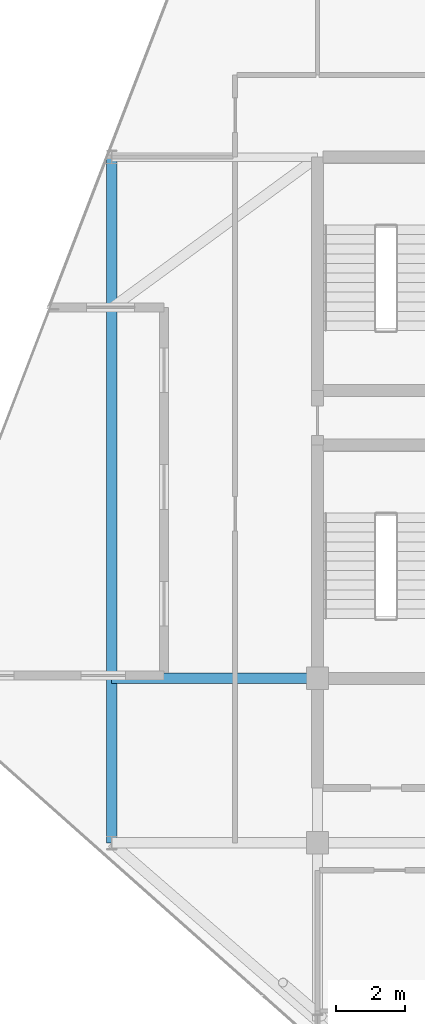
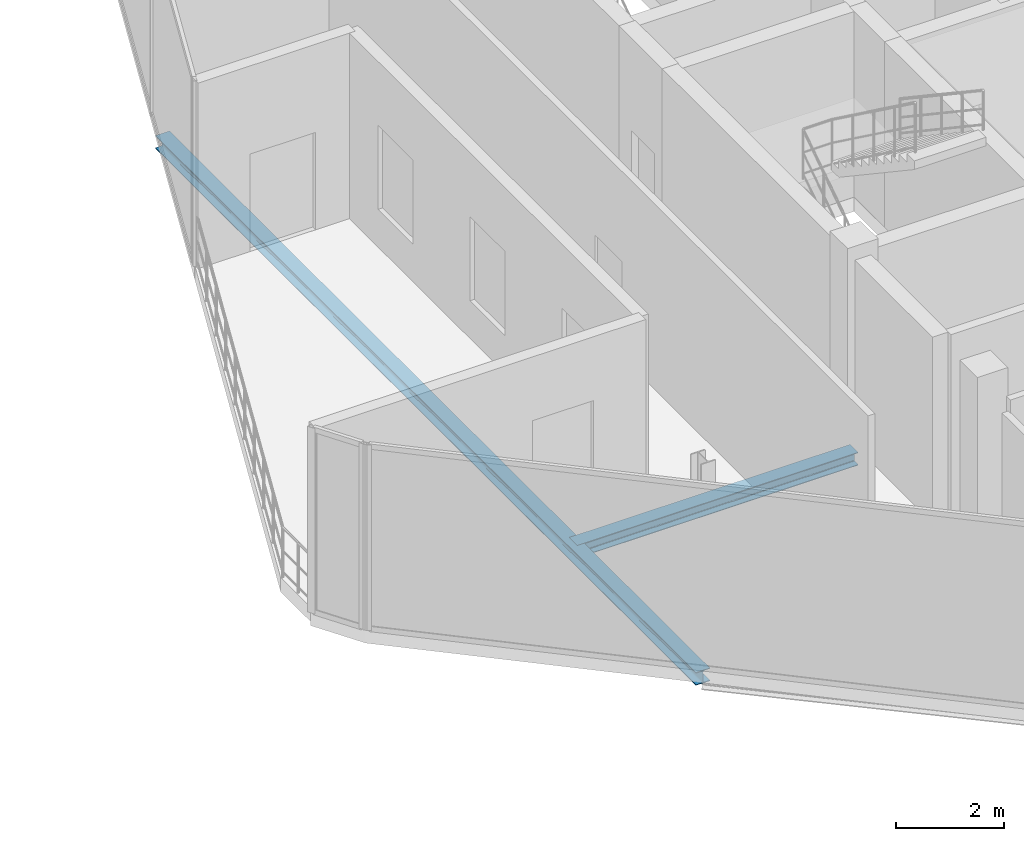
# One storey, part 8 of 24: 2 beams.
"""IFC4 building model written with IfcOpenShell, lengths in metres."""

from ifc_helpers import new_model, si_unit, direction, frame, origin, origin_2d, place, context, subcontext, project, spatial, i_section, extrude, material, material_profile, profile_set, type_object, element, save


model = new_model("IFC4")

# Units and contexts
model_context = context("Model", 3, precision=1e-05, world=origin(), true_north=direction((0.0, 1.0)))
body_context = subcontext(model_context, "Body", "Model", "MODEL_VIEW")
ifc_project = project(units=[si_unit("LENGTHUNIT", "METRE"), si_unit("AREAUNIT", "SQUARE_METRE"), si_unit("VOLUMEUNIT", "CUBIC_METRE"), si_unit("PLANEANGLEUNIT", "RADIAN"), si_unit("MASSUNIT", "GRAM", prefix="KILO")], contexts=[model_context])

# Site, building, storey
site_placement = place(None, origin())
site = spatial("IfcSite", under=ifc_project, at=site_placement, CompositionType="ELEMENT")
building_placement = place(site_placement, origin())
building = spatial("IfcBuilding", under=site, at=building_placement, Name="Keshet Zoharim Tower", CompositionType="ELEMENT")
storey_placement = place(building_placement, frame((0.0, 0.0, 299.10009765625)))
storey = spatial("IfcBuildingStorey", under=building, at=storey_placement, Name="L75", CompositionType="ELEMENT", Elevation=299.10009765625)

# Beams
ifc_material = material(Name="Steel S355", Category="steel")
ifc_material_profile = material_profile(ifc_material, i_section(OverallWidth=0.300048828125, OverallDepth=0.2900390625, WebThickness=0.008544921875, FlangeThickness=0.013916015625, FilletRadius=0.027099609375, at=origin_2d()), Name="HEA300")
ifc_profile_set = profile_set([ifc_material_profile], Name="Steel S355")
beam_type = type_object("IfcBeamType", Name="BM-PRI-HA300", PredefinedType="BEAM", material=ifc_profile_set)
beam_1_placement = place(storey_placement, frame((9.0, 17.89990234375, -0.465087890625), z_axis=(0.0, 1.0, 0.0), x_axis=(-1.0, 0.0, 0.0)))
element("IfcBeam", 1, at=beam_1_placement, inside=storey, type_object=beam_type, Name="L75 Summit Terrace Support Girder 01", PredefinedType="BEAM", context=body_context, shape_type="SweptSolid", body=[
    extrude(i_section(OverallWidth=0.300048828125, OverallDepth=0.2900390625, WebThickness=0.008544921875, FlangeThickness=0.013916015625, FilletRadius=0.027099609375, at=origin_2d()), origin(), (0.0, 0.0, 1.0), 20.0),
])
beam_2_placement = place(storey_placement, frame((9.0, 22.699951171875, -0.465087890625), z_axis=(1.0, 0.0, 0.0), x_axis=(0.0, 1.0, 0.0)))
element("IfcBeam", 2, at=beam_2_placement, inside=storey, type_object=beam_type, Name="L75 Summit Terrace Support Girder 02", PredefinedType="BEAM", context=body_context, shape_type="SweptSolid", body=[
    extrude(i_section(OverallWidth=0.300048828125, OverallDepth=0.2900390625, WebThickness=0.008544921875, FlangeThickness=0.013916015625, FilletRadius=0.027099609375, at=origin_2d()), origin(), (0.0, 0.0, 1.0), 6.0),
])

save(model, "model.ifc")
